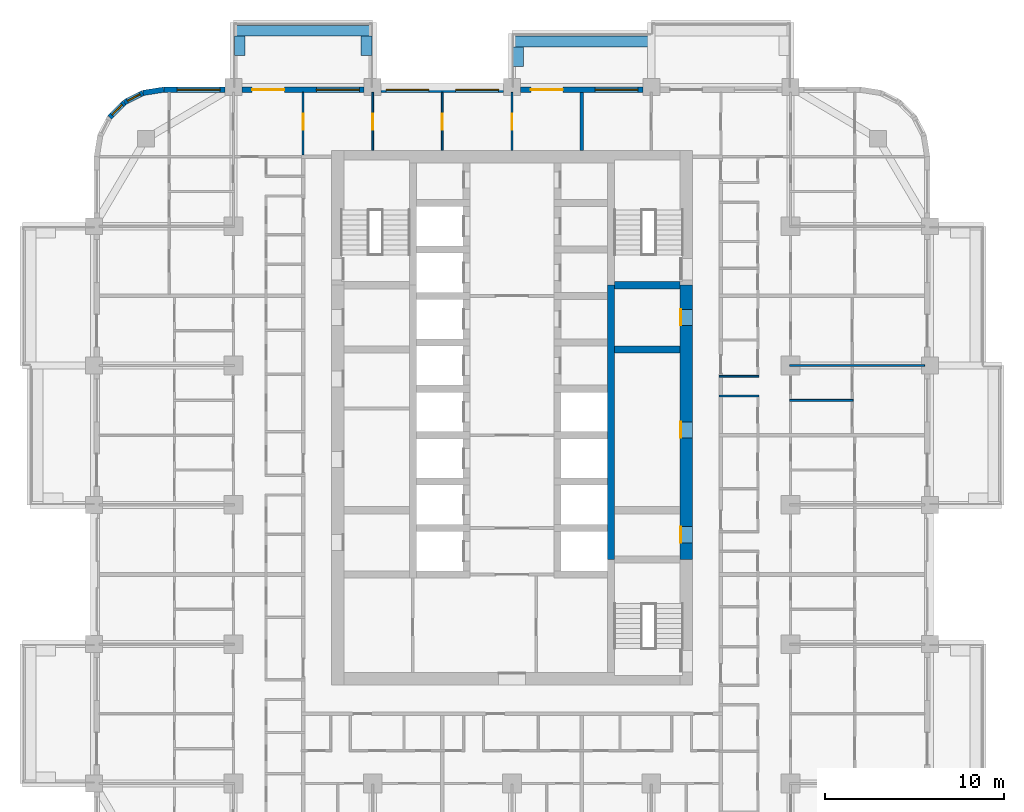
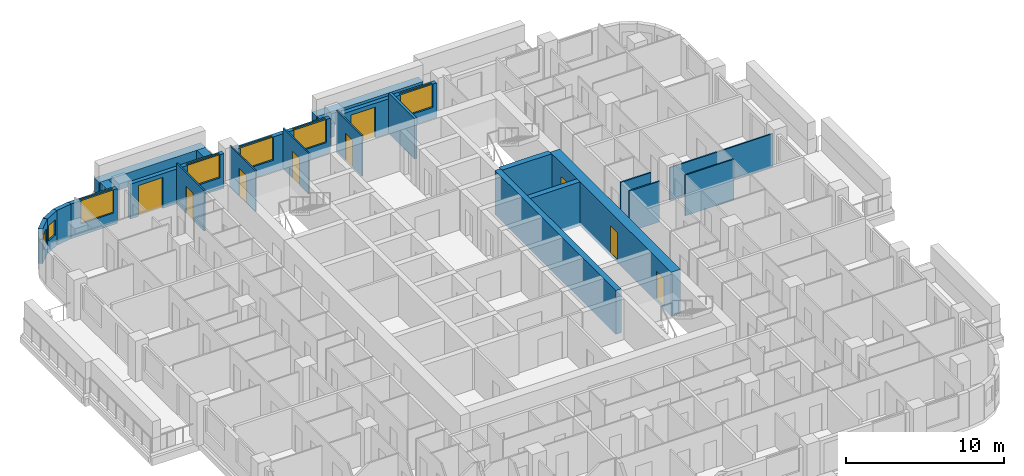
# One storey, part 12 of 18: 25 walls, 9 doors, 7 windows, 16 openings.
"""IFC4 building model written with IfcOpenShell, lengths in metres."""

from ifc_helpers import new_model, si_unit, direction, frame, frame_2d, origin, place, context, subcontext, project, spatial, rectangle, extrude, material, layer, layer_set, type_object, element, fill, save


model = new_model("IFC4")

# Units and contexts
model_context = context("Model", 3, precision=1e-05, world=origin(), true_north=direction((0.0, 1.0)))
body_context = subcontext(model_context, "Body", "Model", "MODEL_VIEW")
ifc_project = project(units=[si_unit("LENGTHUNIT", "METRE"), si_unit("AREAUNIT", "SQUARE_METRE"), si_unit("VOLUMEUNIT", "CUBIC_METRE"), si_unit("PLANEANGLEUNIT", "RADIAN"), si_unit("MASSUNIT", "GRAM", prefix="KILO")], contexts=[model_context])

# Site, building, storey
site_placement = place(None, origin())
site = spatial("IfcSite", under=ifc_project, at=site_placement, CompositionType="ELEMENT")
building_placement = place(site_placement, origin())
building = spatial("IfcBuilding", under=site, at=building_placement, Name="Ludao Terraces", CompositionType="ELEMENT")
storey_placement = place(building_placement, frame((0.0, 0.0, 75.0)))
storey = spatial("IfcBuildingStorey", under=building, at=storey_placement, Name="L20", CompositionType="ELEMENT", Elevation=75.0)

# Wall, openings, doors
ifc_material_1 = material(Name="Concrete C70", Category="concrete")
ifc_layer_1 = layer(ifc_material_1, 0.699951171875)
ifc_layer_set_1 = layer_set([ifc_layer_1], Name="Core wall 700 C70")
wall_type_1 = type_object("IfcWallType", Name="Core wall 700 C70", PredefinedType="SOLIDWALL", material=ifc_layer_set_1)
wall_1_placement = place(storey_placement, frame((94.75, 61.949951171875, -0.25), z_axis=(0.0, 0.0, 1.0), x_axis=(0.0, 1.0, 0.0)))
wall_1 = element("IfcWall", 1, at=wall_1_placement, inside=storey, type_object=wall_type_1, Name="Core wall L20 outer-E", PredefinedType="SOLIDWALL", context=body_context, shape_type="SweptSolid", body=[
    extrude(rectangle(XDim=15.35009765625, YDim=0.699951171875, at=frame_2d((7.675048828125, 0.0))), origin(), (0.0, 0.0, 1.0), 3.39990234375),
])
opening_1_placement = place(wall_1_placement, frame((0.925048828125, 0.0, 0.25)))
opening_1 = element("IfcOpeningElement", 2, at=opening_1_placement, cuts=wall_1, Name="Opening R06-081", PredefinedType="OPENING", context=body_context, shape_type="SweptSolid", body=[
    extrude(rectangle(XDim=0.89990234375, YDim=2.10009765625, at=frame_2d((0.449951171875, 1.050048828125))), frame((0.0, 0.35986328125, 0.0), z_axis=(0.0, -1.0, 0.0), x_axis=(1.0, 0.0, 0.0)), (0.0, 0.0, 1.0), 0.719970703125),
])
opening_2_placement = place(wall_1_placement, frame((6.800048828125, 0.0, 0.25)))
opening_2 = element("IfcOpeningElement", 3, at=opening_2_placement, cuts=wall_1, Name="Opening R06-099", PredefinedType="OPENING", context=body_context, shape_type="SweptSolid", body=[
    extrude(rectangle(XDim=0.89990234375, YDim=2.10009765625, at=frame_2d((0.449951171875, 1.050048828125))), frame((0.0, 0.35986328125, 0.0), z_axis=(0.0, -1.0, 0.0), x_axis=(1.0, 0.0, 0.0)), (0.0, 0.0, 1.0), 0.719970703125),
])
opening_3_placement = place(wall_1_placement, frame((13.10009765625, 0.0, 0.25)))
opening_3 = element("IfcOpeningElement", 4, at=opening_3_placement, cuts=wall_1, Name="Opening R06-122", PredefinedType="OPENING", context=body_context, shape_type="SweptSolid", body=[
    extrude(rectangle(XDim=0.89990234375, YDim=2.10009765625, at=frame_2d((0.449951171875, 1.050048828125))), frame((0.0, 0.35986328125, 0.0), z_axis=(0.0, -1.0, 0.0), x_axis=(1.0, 0.0, 0.0)), (0.0, 0.0, 1.0), 0.719970703125),
])
ifc_material_2 = material(Name="Steel Q235", Category="steel")
door_type_1 = type_object("IfcDoorType", Name="INT Riser door 900", OperationType="SINGLE_SWING_LEFT", PredefinedType="DOOR", material=ifc_material_2)
door_1_placement = place(opening_1_placement, origin())
door_1 = element("IfcDoor", 5, at=door_1_placement, inside=storey, type_object=door_type_1, Name="DOOR 081", OperationType="SINGLE_SWING_LEFT", OverallHeight=2.10009765625, OverallWidth=0.89990234375, PredefinedType="DOOR", context=body_context, shape_type="SweptSolid", body=[
    extrude(rectangle(XDim=0.89990234375, YDim=2.10009765625, at=frame_2d((0.449951171875, 1.050048828125))), frame((0.0, 0.3349609375, 0.0), z_axis=(0.0, -1.0, 0.0), x_axis=(1.0, 0.0, 0.0)), (0.0, 0.0, 1.0), 0.050048828125),
])
fill(opening_1, door_1)
door_2_placement = place(opening_3_placement, origin())
door_2 = element("IfcDoor", 6, at=door_2_placement, inside=storey, type_object=door_type_1, Name="DOOR 122", OperationType="SINGLE_SWING_LEFT", OverallHeight=2.10009765625, OverallWidth=0.89990234375, PredefinedType="DOOR", context=body_context, shape_type="SweptSolid", body=[
    extrude(rectangle(XDim=0.89990234375, YDim=2.10009765625, at=frame_2d((0.449951171875, 1.050048828125))), frame((0.0, 0.3349609375, 0.0), z_axis=(0.0, -1.0, 0.0), x_axis=(1.0, 0.0, 0.0)), (0.0, 0.0, 1.0), 0.050048828125),
])
fill(opening_3, door_2)
ifc_material_3 = material(Name="Timber door leaf", Category="wood")
door_type_2 = type_object("IfcDoorType", Name="INT Room door 900", OperationType="SINGLE_SWING_LEFT", PredefinedType="DOOR", material=ifc_material_3)
door_3_placement = place(opening_2_placement, origin())
door_3 = element("IfcDoor", 7, at=door_3_placement, inside=storey, type_object=door_type_2, Name="DOOR 099", OperationType="SINGLE_SWING_RIGHT", OverallHeight=2.10009765625, OverallWidth=0.89990234375, PredefinedType="DOOR", context=body_context, shape_type="SweptSolid", body=[
    extrude(rectangle(XDim=0.89990234375, YDim=2.10009765625, at=frame_2d((0.449951171875, 1.050048828125))), frame((0.0, 0.3349609375, 0.0), z_axis=(0.0, -1.0, 0.0), x_axis=(1.0, 0.0, 0.0)), (0.0, 0.0, 1.0), 0.050048828125),
])
fill(opening_2, door_3)

# Walls
ifc_material_4 = material(Name="Concrete C40", Category="concrete")
ifc_layer_2 = layer(ifc_material_4, 0.60009765625)
ifc_layer_set_2 = layer_set([ifc_layer_2], Name="ENV Planter trough 600")
wall_type_2 = type_object("IfcWallType", Name="ENV Planter trough 600", PredefinedType="USERDEFINED", material=ifc_layer_set_2)
wall_2_placement = place(storey_placement, frame((69.39990234375, 91.550048828125, 0.0), z_axis=(0.0, 0.0, 1.0), x_axis=(1.0, 0.0, 0.0)))
element("IfcWall", 8, at=wall_2_placement, inside=storey, type_object=wall_type_2, Name="PL-L20-N1", ObjectType="PLANTER", PredefinedType="USERDEFINED", context=body_context, shape_type="SweptSolid", body=[
    extrude(rectangle(XDim=7.800048828125, YDim=0.60009765625, at=frame_2d((3.89990234375, 0.0))), origin(), (0.0, 0.0, 1.0), 1.10009765625),
])
for number, where, z_axis, x_axis, name in (
    (9, (69.75, 91.25, 0.0), (0.0, 0.0, 1.0), (0.0, -1.0, 0.0), "PL-L20-N1-SA"),
    (10, (76.85009765625, 91.25, 0.0), (0.0, 0.0, 1.0), (0.0, -1.0, 0.0), "PL-L20-N1-SB"),
):
    element("IfcWall", number, at=place(storey_placement, frame(where, z_axis=z_axis, x_axis=x_axis)), inside=storey, type_object=wall_type_2, Name=name, ObjectType="PLANTER", PredefinedType="USERDEFINED", context=body_context, shape_type="SweptSolid", body=[
        extrude(rectangle(XDim=1.10009765625, YDim=0.60009765625, at=frame_2d((0.550048828125, 0.0))), origin(), (0.0, 0.0, 1.0), 1.10009765625),
    ])
wall_3_placement = place(storey_placement, frame((85.0, 90.949951171875, 0.0), z_axis=(0.0, 0.0, 1.0), x_axis=(1.0, 0.0, 0.0)))
element("IfcWall", 11, at=wall_3_placement, inside=storey, type_object=wall_type_2, Name="PL-L20-N3", ObjectType="PLANTER", PredefinedType="USERDEFINED", context=body_context, shape_type="SweptSolid", body=[
    extrude(rectangle(XDim=7.800048828125, YDim=0.60009765625, at=frame_2d((3.89990234375, 0.0))), origin(), (0.0, 0.0, 1.0), 1.10009765625),
])
wall_4_placement = place(storey_placement, frame((85.35009765625, 90.64990234375, 0.0), z_axis=(0.0, 0.0, 1.0), x_axis=(0.0, -1.0, 0.0)))
element("IfcWall", 12, at=wall_4_placement, inside=storey, type_object=wall_type_2, Name="PL-L20-N3-SA", ObjectType="PLANTER", PredefinedType="USERDEFINED", context=body_context, shape_type="SweptSolid", body=[
    extrude(rectangle(XDim=1.099853515625, YDim=0.60009765625, at=frame_2d((0.5498046875, 0.0))), origin(), (0.0, 0.0, 1.0), 1.10009765625),
])

# Wall, opening, window
ifc_material_5 = material(Name="Granite cladding", Category="masonry")
ifc_layer_3 = layer(ifc_material_5, 0.0400390625, Category="stone")
ifc_material_6 = material(Name="Mineral wool")
ifc_layer_4 = layer(ifc_material_6, 0.06005859375)
ifc_layer_5 = layer(ifc_material_4, 0.199951171875, Category="concrete")
ifc_layer_set_3 = layer_set([ifc_layer_3, ifc_layer_4, ifc_layer_5], Name="ENV Stone-clad wall 300")
wall_type_3 = type_object("IfcWallType", Name="ENV Stone-clad wall 300", PredefinedType="SOLIDWALL", material=ifc_layer_set_3)
wall_5_placement = place(storey_placement, frame((65.5, 88.25, 0.0), z_axis=(0.0, 0.0, 1.0), x_axis=(1.0, 0.0, 0.0)))
wall_5 = element("IfcWall", 13, at=wall_5_placement, inside=storey, type_object=wall_type_3, Name="EW-L20-N1", PredefinedType="SOLIDWALL", context=body_context, shape_type="SweptSolid", body=[
    extrude(rectangle(XDim=3.425048828125, YDim=0.300048828125, at=frame_2d((1.71240234375, 0.0))), origin(), (0.0, 0.0, 1.0), 2.699951171875),
])
opening_4_placement = place(wall_5_placement, frame((0.75, 0.0, 0.89990234375)))
opening_4 = element("IfcOpeningElement", 14, at=opening_4_placement, cuts=wall_5, Name="Opening W1", PredefinedType="OPENING", context=body_context, shape_type="SweptSolid", body=[
    extrude(rectangle(XDim=2.39990234375, YDim=1.800048828125, at=frame_2d((1.199951171875, 0.89990234375))), frame((0.0, 0.16015625, 0.0), z_axis=(0.0, -1.0, 0.0), x_axis=(1.0, 0.0, 0.0)), (0.0, 0.0, 1.0), 0.320068359375),
])
ifc_material_7 = material(Name="Clear glass in aluminium frame", Category="aluminium")
ifc_layer_6 = layer(ifc_material_7, 0.06005859375)
ifc_layer_set_4 = layer_set([ifc_layer_6], Name="ENV Window W1 2400x1800")
window_type_1 = type_object("IfcWindowType", Name="ENV Window W1 2400x1800", PartitioningType="DOUBLE_PANEL_VERTICAL", PredefinedType="WINDOW", material=ifc_layer_set_4)
window_1_placement = place(opening_4_placement, origin())
window_1 = element("IfcWindow", 15, at=window_1_placement, inside=storey, type_object=window_type_1, Name="W-L20-N1-1", OverallHeight=1.800048828125, OverallWidth=2.39990234375, PartitioningType="DOUBLE_PANEL_VERTICAL", PredefinedType="WINDOW", context=body_context, shape_type="SweptSolid", body=[
    extrude(rectangle(XDim=2.39990234375, YDim=1.800048828125, at=frame_2d((1.199951171875, 0.89990234375))), frame((0.0, 0.030029296875, 0.0), z_axis=(0.0, -1.0, 0.0), x_axis=(1.0, 0.0, 0.0)), (0.0, 0.0, 1.0), 0.06005859375),
])
fill(opening_4, window_1)

# Wall, openings, door, window
wall_6_placement = place(storey_placement, frame((69.875, 88.25, 0.0), z_axis=(0.0, 0.0, 1.0), x_axis=(1.0, 0.0, 0.0)))
wall_6 = element("IfcWall", 16, at=wall_6_placement, inside=storey, type_object=wall_type_3, Name="EW-L20-N2", PredefinedType="SOLIDWALL", context=body_context, shape_type="SweptSolid", body=[
    extrude(rectangle(XDim=6.85009765625, YDim=0.300048828125, at=frame_2d((3.425048828125, 0.0))), origin(), (0.0, 0.0, 1.0), 2.699951171875),
])
opening_5_placement = place(wall_6_placement, frame((0.574951171875, 0.0, 0.0)))
opening_5 = element("IfcOpeningElement", 17, at=opening_5_placement, cuts=wall_6, Name="Opening BD", PredefinedType="OPENING", context=body_context, shape_type="SweptSolid", body=[
    extrude(rectangle(XDim=1.800048828125, YDim=2.39990234375, at=frame_2d((0.89990234375, 1.199951171875))), frame((0.0, 0.16015625, 0.0), z_axis=(0.0, -1.0, 0.0), x_axis=(1.0, 0.0, 0.0)), (0.0, 0.0, 1.0), 0.320068359375),
])
opening_6_placement = place(wall_6_placement, frame((4.175048828125, 0.0, 0.89990234375)))
opening_6 = element("IfcOpeningElement", 18, at=opening_6_placement, cuts=wall_6, Name="Opening W1", PredefinedType="OPENING", context=body_context, shape_type="SweptSolid", body=[
    extrude(rectangle(XDim=2.39990234375, YDim=1.800048828125, at=frame_2d((1.199951171875, 0.89990234375))), frame((0.0, 0.16015625, 0.0), z_axis=(0.0, -1.0, 0.0), x_axis=(1.0, 0.0, 0.0)), (0.0, 0.0, 1.0), 0.320068359375),
])
ifc_material_8 = material(Name="Aluminium glazed door", Category="aluminium")
ifc_layer_7 = layer(ifc_material_8, 0.06005859375)
ifc_layer_set_5 = layer_set([ifc_layer_7], Name="ENV Balcony door BD 1800x2400")
door_type_3 = type_object("IfcDoorType", Name="ENV Balcony door BD 1800x2400", OperationType="DOUBLE_DOOR_SINGLE_SWING", PredefinedType="DOOR", material=ifc_layer_set_5)
door_4_placement = place(opening_5_placement, origin())
door_4 = element("IfcDoor", 19, at=door_4_placement, inside=storey, type_object=door_type_3, Name="BD-L20-N2-1", OperationType="DOUBLE_DOOR_SINGLE_SWING", OverallHeight=2.39990234375, OverallWidth=1.800048828125, PredefinedType="DOOR", context=body_context, shape_type="SweptSolid", body=[
    extrude(rectangle(XDim=1.800048828125, YDim=2.39990234375, at=frame_2d((0.89990234375, 1.199951171875))), frame((0.0, 0.02490234375, 0.0), z_axis=(0.0, -1.0, 0.0), x_axis=(1.0, 0.0, 0.0)), (0.0, 0.0, 1.0), 0.050048828125),
])
fill(opening_5, door_4)
window_2_placement = place(opening_6_placement, origin())
window_2 = element("IfcWindow", 20, at=window_2_placement, inside=storey, type_object=window_type_1, Name="W-L20-N2-2", OverallHeight=1.800048828125, OverallWidth=2.39990234375, PartitioningType="DOUBLE_PANEL_VERTICAL", PredefinedType="WINDOW", context=body_context, shape_type="SweptSolid", body=[
    extrude(rectangle(XDim=2.39990234375, YDim=1.800048828125, at=frame_2d((1.199951171875, 0.89990234375))), frame((0.0, 0.030029296875, 0.0), z_axis=(0.0, -1.0, 0.0), x_axis=(1.0, 0.0, 0.0)), (0.0, 0.0, 1.0), 0.06005859375),
])
fill(opening_6, window_2)

# Wall, openings, windows
wall_7_placement = place(storey_placement, frame((77.675048828125, 88.25, 0.0), z_axis=(0.0, 0.0, 1.0), x_axis=(1.0, 0.0, 0.0)))
wall_7 = element("IfcWall", 21, at=wall_7_placement, inside=storey, type_object=wall_type_3, Name="EW-L20-N3", PredefinedType="SOLIDWALL", context=body_context, shape_type="SweptSolid", body=[
    extrude(rectangle(XDim=6.849853515625, YDim=0.300048828125, at=frame_2d((3.4248046875, 0.0))), origin(), (0.0, 0.0, 1.0), 2.699951171875),
])
opening_7_placement = place(wall_7_placement, frame((0.27490234375, 0.0, 0.89990234375)))
opening_7 = element("IfcOpeningElement", 22, at=opening_7_placement, cuts=wall_7, Name="Opening W1", PredefinedType="OPENING", context=body_context, shape_type="SweptSolid", body=[
    extrude(rectangle(XDim=2.39990234375, YDim=1.800048828125, at=frame_2d((1.199951171875, 0.89990234375))), frame((0.0, 0.16015625, 0.0), z_axis=(0.0, -1.0, 0.0), x_axis=(1.0, 0.0, 0.0)), (0.0, 0.0, 1.0), 0.320068359375),
])
opening_8_placement = place(wall_7_placement, frame((4.175048828125, 0.0, 0.89990234375)))
opening_8 = element("IfcOpeningElement", 23, at=opening_8_placement, cuts=wall_7, Name="Opening W1", PredefinedType="OPENING", context=body_context, shape_type="SweptSolid", body=[
    extrude(rectangle(XDim=2.39990234375, YDim=1.800048828125, at=frame_2d((1.199951171875, 0.89990234375))), frame((0.0, 0.16015625, 0.0), z_axis=(0.0, -1.0, 0.0), x_axis=(1.0, 0.0, 0.0)), (0.0, 0.0, 1.0), 0.320068359375),
])
window_3_placement = place(opening_7_placement, origin())
window_3 = element("IfcWindow", 24, at=window_3_placement, inside=storey, type_object=window_type_1, Name="W-L20-N3-1", OverallHeight=1.800048828125, OverallWidth=2.39990234375, PartitioningType="DOUBLE_PANEL_VERTICAL", PredefinedType="WINDOW", context=body_context, shape_type="SweptSolid", body=[
    extrude(rectangle(XDim=2.39990234375, YDim=1.800048828125, at=frame_2d((1.199951171875, 0.89990234375))), frame((0.0, 0.030029296875, 0.0), z_axis=(0.0, -1.0, 0.0), x_axis=(1.0, 0.0, 0.0)), (0.0, 0.0, 1.0), 0.06005859375),
])
fill(opening_7, window_3)
window_4_placement = place(opening_8_placement, origin())
window_4 = element("IfcWindow", 25, at=window_4_placement, inside=storey, type_object=window_type_1, Name="W-L20-N3-2", OverallHeight=1.800048828125, OverallWidth=2.39990234375, PartitioningType="DOUBLE_PANEL_VERTICAL", PredefinedType="WINDOW", context=body_context, shape_type="SweptSolid", body=[
    extrude(rectangle(XDim=2.39990234375, YDim=1.800048828125, at=frame_2d((1.199951171875, 0.89990234375))), frame((0.0, 0.030029296875, 0.0), z_axis=(0.0, -1.0, 0.0), x_axis=(1.0, 0.0, 0.0)), (0.0, 0.0, 1.0), 0.06005859375),
])
fill(opening_8, window_4)

# Wall, openings, door, window
wall_8_placement = place(storey_placement, frame((85.47509765625, 88.25, 0.0), z_axis=(0.0, 0.0, 1.0), x_axis=(1.0, 0.0, 0.0)))
wall_8 = element("IfcWall", 26, at=wall_8_placement, inside=storey, type_object=wall_type_3, Name="EW-L20-N4", PredefinedType="SOLIDWALL", context=body_context, shape_type="SweptSolid", body=[
    extrude(rectangle(XDim=6.849853515625, YDim=0.300048828125, at=frame_2d((3.4248046875, 0.0))), origin(), (0.0, 0.0, 1.0), 2.699951171875),
])
opening_9_placement = place(wall_8_placement, frame((0.574951171875, 0.0, 0.0)))
opening_9 = element("IfcOpeningElement", 27, at=opening_9_placement, cuts=wall_8, Name="Opening BD", PredefinedType="OPENING", context=body_context, shape_type="SweptSolid", body=[
    extrude(rectangle(XDim=1.800048828125, YDim=2.39990234375, at=frame_2d((0.89990234375, 1.199951171875))), frame((0.0, 0.16015625, 0.0), z_axis=(0.0, -1.0, 0.0), x_axis=(1.0, 0.0, 0.0)), (0.0, 0.0, 1.0), 0.320068359375),
])
opening_10_placement = place(wall_8_placement, frame((4.175048828125, 0.0, 0.89990234375)))
opening_10 = element("IfcOpeningElement", 28, at=opening_10_placement, cuts=wall_8, Name="Opening W1", PredefinedType="OPENING", context=body_context, shape_type="SweptSolid", body=[
    extrude(rectangle(XDim=2.39990234375, YDim=1.800048828125, at=frame_2d((1.199951171875, 0.89990234375))), frame((0.0, 0.16015625, 0.0), z_axis=(0.0, -1.0, 0.0), x_axis=(1.0, 0.0, 0.0)), (0.0, 0.0, 1.0), 0.320068359375),
])
door_5_placement = place(opening_9_placement, origin())
door_5 = element("IfcDoor", 29, at=door_5_placement, inside=storey, type_object=door_type_3, Name="BD-L20-N4-1", OperationType="DOUBLE_DOOR_SINGLE_SWING", OverallHeight=2.39990234375, OverallWidth=1.800048828125, PredefinedType="DOOR", context=body_context, shape_type="SweptSolid", body=[
    extrude(rectangle(XDim=1.800048828125, YDim=2.39990234375, at=frame_2d((0.89990234375, 1.199951171875))), frame((0.0, 0.02490234375, 0.0), z_axis=(0.0, -1.0, 0.0), x_axis=(1.0, 0.0, 0.0)), (0.0, 0.0, 1.0), 0.050048828125),
])
fill(opening_9, door_5)
window_5_placement = place(opening_10_placement, origin())
window_5 = element("IfcWindow", 30, at=window_5_placement, inside=storey, type_object=window_type_1, Name="W-L20-N4-2", OverallHeight=1.800048828125, OverallWidth=2.39990234375, PartitioningType="DOUBLE_PANEL_VERTICAL", PredefinedType="WINDOW", context=body_context, shape_type="SweptSolid", body=[
    extrude(rectangle(XDim=2.39990234375, YDim=1.800048828125, at=frame_2d((1.199951171875, 0.89990234375))), frame((0.0, 0.030029296875, 0.0), z_axis=(0.0, -1.0, 0.0), x_axis=(1.0, 0.0, 0.0)), (0.0, 0.0, 1.0), 0.06005859375),
])
fill(opening_10, window_5)

# Wall
wall_9_placement = place(storey_placement, frame((65.5, 88.25, 0.0), z_axis=(0.0, 0.0, 1.0), x_axis=(-0.987678452879, -0.156496880861, 0.0)))
element("IfcWall", 31, at=wall_9_placement, inside=storey, type_object=wall_type_3, Name="EW-L20-NW1", PredefinedType="SOLIDWALL", context=body_context, shape_type="SweptSolid", body=[
    extrude(rectangle(XDim=1.173095703125, YDim=0.300048828125, at=frame_2d((0.58642578125, 0.0))), origin(), (0.0, 0.0, 1.0), 2.699951171875),
])

# Wall, opening, window
wall_10_placement = place(storey_placement, frame((64.34130859375, 88.06640625, 0.0), z_axis=(0.0, 0.0, 1.0), x_axis=(-0.890988677504, -0.454025524128, 0.0)))
wall_10 = element("IfcWall", 32, at=wall_10_placement, inside=storey, type_object=wall_type_3, Name="EW-L20-NW2", PredefinedType="SOLIDWALL", context=body_context, shape_type="SweptSolid", body=[
    extrude(rectangle(XDim=1.17333984375, YDim=0.300048828125, at=frame_2d((0.586669921875, 0.0))), origin(), (0.0, 0.0, 1.0), 2.699951171875),
])
opening_11_placement = place(wall_10_placement, frame((0.1865234375, 0.0, 0.89990234375)))
opening_11 = element("IfcOpeningElement", 33, at=opening_11_placement, cuts=wall_10, Name="Opening W3", PredefinedType="OPENING", context=body_context, shape_type="SweptSolid", body=[
    extrude(rectangle(XDim=0.800048828125, YDim=1.199951171875, at=frame_2d((0.39990234375, 0.60009765625))), frame((0.0, 0.16015625, 0.0), z_axis=(0.0, -1.0, 0.0), x_axis=(1.0, 0.0, 0.0)), (0.0, 0.0, 1.0), 0.320068359375),
])
ifc_layer_8 = layer(ifc_material_7, 0.06005859375)
ifc_layer_set_6 = layer_set([ifc_layer_8], Name="ENV Window W3 800x1200")
window_type_2 = type_object("IfcWindowType", Name="ENV Window W3 800x1200", PartitioningType="SINGLE_PANEL", PredefinedType="WINDOW", material=ifc_layer_set_6)
window_6_placement = place(opening_11_placement, origin())
window_6 = element("IfcWindow", 34, at=window_6_placement, inside=storey, type_object=window_type_2, Name="W-L20-NW2", OverallHeight=1.199951171875, OverallWidth=0.800048828125, PartitioningType="SINGLE_PANEL", PredefinedType="WINDOW", context=body_context, shape_type="SweptSolid", body=[
    extrude(rectangle(XDim=0.800048828125, YDim=1.199951171875, at=frame_2d((0.39990234375, 0.60009765625))), frame((0.0, 0.030029296875, 0.0), z_axis=(0.0, -1.0, 0.0), x_axis=(1.0, 0.0, 0.0)), (0.0, 0.0, 1.0), 0.06005859375),
])
fill(opening_11, window_6)

wall_11_placement = place(storey_placement, frame((63.2958984375, 87.53369140625, 0.0), z_axis=(0.0, 0.0, 1.0), x_axis=(-0.707106781187, -0.707106781187, 0.0)))
wall_11 = element("IfcWall", 35, at=wall_11_placement, inside=storey, type_object=wall_type_3, Name="EW-L20-NW3", PredefinedType="SOLIDWALL", context=body_context, shape_type="SweptSolid", body=[
    extrude(rectangle(XDim=1.173095703125, YDim=0.300048828125, at=frame_2d((0.58642578125, 0.0))), origin(), (0.0, 0.0, 1.0), 2.699951171875),
])
opening_12_placement = place(wall_11_placement, frame((0.1865234375, 0.0, 0.89990234375)))
opening_12 = element("IfcOpeningElement", 36, at=opening_12_placement, cuts=wall_11, Name="Opening W3", PredefinedType="OPENING", context=body_context, shape_type="SweptSolid", body=[
    extrude(rectangle(XDim=0.800048828125, YDim=1.199951171875, at=frame_2d((0.39990234375, 0.60009765625))), frame((0.0, 0.16015625, 0.0), z_axis=(0.0, -1.0, 0.0), x_axis=(1.0, 0.0, 0.0)), (0.0, 0.0, 1.0), 0.320068359375),
])
window_7_placement = place(opening_12_placement, origin())
window_7 = element("IfcWindow", 37, at=window_7_placement, inside=storey, type_object=window_type_2, Name="W-L20-NW3", OverallHeight=1.199951171875, OverallWidth=0.800048828125, PartitioningType="SINGLE_PANEL", PredefinedType="WINDOW", context=body_context, shape_type="SweptSolid", body=[
    extrude(rectangle(XDim=0.800048828125, YDim=1.199951171875, at=frame_2d((0.39990234375, 0.60009765625))), frame((0.0, 0.030029296875, 0.0), z_axis=(0.0, -1.0, 0.0), x_axis=(1.0, 0.0, 0.0)), (0.0, 0.0, 1.0), 0.06005859375),
])
fill(opening_12, window_7)

# Walls
ifc_material_9 = material(Name="Gypsum plasterboard", Category="gypsum")
ifc_layer_9 = layer(ifc_material_9, 0.012451171875, Category="gypsum")
ifc_layer_10 = layer(ifc_material_6, 0.06005859375, Name="insulation")
ifc_layer_11 = layer(ifc_material_2, 0.014892578125, Name="stud")
ifc_layer_12 = layer(ifc_material_9, 0.012451171875, Category="gypsum")
ifc_layer_set_7 = layer_set([ifc_layer_9, ifc_layer_10, ifc_layer_11, ifc_layer_12], Name="INT Partition 100")
wall_type_4 = type_object("IfcWallType", Name="INT Partition 100", PredefinedType="PARTITIONING", material=ifc_layer_set_7)
wall_12_placement = place(storey_placement, frame((100.550048828125, 70.85009765625, 0.0), z_axis=(0.0, 0.0, 1.0), x_axis=(1.0, 0.0, 0.0)))
element("IfcWall", 38, at=wall_12_placement, inside=storey, type_object=wall_type_4, Name="PW-L20-PW053", PredefinedType="PARTITIONING", context=body_context, shape_type="SweptSolid", body=[
    extrude(rectangle(XDim=3.550048828125, YDim=0.10009765625, at=frame_2d((1.77490234375, 0.0))), origin(), (0.0, 0.0, 1.0), 3.14990234375),
])
for number, where, z_axis, x_axis, name in (
    (39, (96.60009765625, 71.10009765625, 0.0), (0.0, 0.0, 1.0), (1.0, 0.0, 0.0), "PW-L20-PW054"),
    (40, (96.60009765625, 72.199951171875, 0.0), (0.0, 0.0, 1.0), (1.0, 0.0, 0.0), "PW-L20-PW055"),
):
    element("IfcWall", number, at=place(storey_placement, frame(where, z_axis=z_axis, x_axis=x_axis)), inside=storey, type_object=wall_type_4, Name=name, PredefinedType="PARTITIONING", context=body_context, shape_type="SweptSolid", body=[
        extrude(rectangle(XDim=2.219970703125, YDim=0.10009765625, at=frame_2d((1.10986328125, 0.0))), origin(), (0.0, 0.0, 1.0), 3.14990234375),
    ])
wall_13_placement = place(storey_placement, frame((100.550048828125, 72.800048828125, 0.0), z_axis=(0.0, 0.0, 1.0), x_axis=(1.0, 0.0, 0.0)))
element("IfcWall", 41, at=wall_13_placement, inside=storey, type_object=wall_type_4, Name="PW-L20-PW058", PredefinedType="PARTITIONING", context=body_context, shape_type="SweptSolid", body=[
    extrude(rectangle(XDim=7.550048828125, YDim=0.10009765625, at=frame_2d((3.77490234375, 0.0))), origin(), (0.0, 0.0, 1.0), 2.550048828125),
])

# Wall, opening, door
wall_14_placement = place(storey_placement, frame((73.300048828125, 84.60009765625, 0.0), z_axis=(0.0, 0.0, 1.0), x_axis=(0.0, 1.0, 0.0)))
wall_14 = element("IfcWall", 42, at=wall_14_placement, inside=storey, type_object=wall_type_4, Name="PW-L20-PW090", PredefinedType="PARTITIONING", context=body_context, shape_type="SweptSolid", body=[
    extrude(rectangle(XDim=3.5, YDim=0.10009765625, at=frame_2d((1.75, 0.0))), origin(), (0.0, 0.0, 1.0), 3.14990234375),
])
opening_13_placement = place(wall_14_placement, frame((1.39990234375, 0.0, 0.0)))
opening_13 = element("IfcOpeningElement", 43, at=opening_13_placement, cuts=wall_14, Name="Opening R06-159", PredefinedType="OPENING", context=body_context, shape_type="SweptSolid", body=[
    extrude(rectangle(XDim=0.89990234375, YDim=2.10009765625, at=frame_2d((0.449951171875, 1.050048828125))), frame((0.0, 0.06005859375, 0.0), z_axis=(0.0, -1.0, 0.0), x_axis=(1.0, 0.0, 0.0)), (0.0, 0.0, 1.0), 0.1201171875),
])
door_6_placement = place(opening_13_placement, origin())
door_6 = element("IfcDoor", 44, at=door_6_placement, inside=storey, type_object=door_type_2, Name="DOOR 159", OperationType="SINGLE_SWING_LEFT", OverallHeight=2.10009765625, OverallWidth=0.89990234375, PredefinedType="DOOR", context=body_context, shape_type="SweptSolid", body=[
    extrude(rectangle(XDim=0.89990234375, YDim=2.10009765625, at=frame_2d((0.449951171875, 1.050048828125))), frame((0.0, 0.02490234375, 0.0), z_axis=(0.0, -1.0, 0.0), x_axis=(1.0, 0.0, 0.0)), (0.0, 0.0, 1.0), 0.050048828125),
])
fill(opening_13, door_6)

wall_15_placement = place(storey_placement, frame((77.199951171875, 84.85009765625, 0.0), z_axis=(0.0, 0.0, 1.0), x_axis=(0.0, 1.0, 0.0)))
wall_15 = element("IfcWall", 45, at=wall_15_placement, inside=storey, type_object=wall_type_4, Name="PW-L20-PW095", PredefinedType="PARTITIONING", context=body_context, shape_type="SweptSolid", body=[
    extrude(rectangle(XDim=3.25, YDim=0.10009765625, at=frame_2d((1.625, 0.0))), origin(), (0.0, 0.0, 1.0), 3.14990234375),
])
opening_14_placement = place(wall_15_placement, frame((1.14990234375, 0.0, 0.0)))
opening_14 = element("IfcOpeningElement", 46, at=opening_14_placement, cuts=wall_15, Name="Opening R06-160", PredefinedType="OPENING", context=body_context, shape_type="SweptSolid", body=[
    extrude(rectangle(XDim=0.89990234375, YDim=2.10009765625, at=frame_2d((0.449951171875, 1.050048828125))), frame((0.0, 0.06005859375, 0.0), z_axis=(0.0, -1.0, 0.0), x_axis=(1.0, 0.0, 0.0)), (0.0, 0.0, 1.0), 0.1201171875),
])
door_7_placement = place(opening_14_placement, origin())
door_7 = element("IfcDoor", 47, at=door_7_placement, inside=storey, type_object=door_type_2, Name="DOOR 160", OperationType="SINGLE_SWING_RIGHT", OverallHeight=2.10009765625, OverallWidth=0.89990234375, PredefinedType="DOOR", context=body_context, shape_type="SweptSolid", body=[
    extrude(rectangle(XDim=0.89990234375, YDim=2.10009765625, at=frame_2d((0.449951171875, 1.050048828125))), frame((0.0, 0.02490234375, 0.0), z_axis=(0.0, -1.0, 0.0), x_axis=(1.0, 0.0, 0.0)), (0.0, 0.0, 1.0), 0.050048828125),
])
fill(opening_14, door_7)

wall_16_placement = place(storey_placement, frame((81.10009765625, 84.85009765625, 0.0), z_axis=(0.0, 0.0, 1.0), x_axis=(0.0, 1.0, 0.0)))
wall_16 = element("IfcWall", 48, at=wall_16_placement, inside=storey, type_object=wall_type_4, Name="PW-L20-PW099", PredefinedType="PARTITIONING", context=body_context, shape_type="SweptSolid", body=[
    extrude(rectangle(XDim=3.25, YDim=0.10009765625, at=frame_2d((1.625, 0.0))), origin(), (0.0, 0.0, 1.0), 3.14990234375),
])
opening_15_placement = place(wall_16_placement, frame((1.14990234375, 0.0, 0.0)))
opening_15 = element("IfcOpeningElement", 49, at=opening_15_placement, cuts=wall_16, Name="Opening R06-161", PredefinedType="OPENING", context=body_context, shape_type="SweptSolid", body=[
    extrude(rectangle(XDim=0.89990234375, YDim=2.10009765625, at=frame_2d((0.449951171875, 1.050048828125))), frame((0.0, 0.06005859375, 0.0), z_axis=(0.0, -1.0, 0.0), x_axis=(1.0, 0.0, 0.0)), (0.0, 0.0, 1.0), 0.1201171875),
])
door_8_placement = place(opening_15_placement, origin())
door_8 = element("IfcDoor", 50, at=door_8_placement, inside=storey, type_object=door_type_2, Name="DOOR 161", OperationType="SINGLE_SWING_RIGHT", OverallHeight=2.10009765625, OverallWidth=0.89990234375, PredefinedType="DOOR", context=body_context, shape_type="SweptSolid", body=[
    extrude(rectangle(XDim=0.89990234375, YDim=2.10009765625, at=frame_2d((0.449951171875, 1.050048828125))), frame((0.0, 0.02490234375, 0.0), z_axis=(0.0, -1.0, 0.0), x_axis=(1.0, 0.0, 0.0)), (0.0, 0.0, 1.0), 0.050048828125),
])
fill(opening_15, door_8)

wall_17_placement = place(storey_placement, frame((85.0, 84.85009765625, 0.0), z_axis=(0.0, 0.0, 1.0), x_axis=(0.0, 1.0, 0.0)))
wall_17 = element("IfcWall", 51, at=wall_17_placement, inside=storey, type_object=wall_type_4, Name="PW-L20-PW103", PredefinedType="PARTITIONING", context=body_context, shape_type="SweptSolid", body=[
    extrude(rectangle(XDim=3.25, YDim=0.10009765625, at=frame_2d((1.625, 0.0))), origin(), (0.0, 0.0, 1.0), 3.14990234375),
])
opening_16_placement = place(wall_17_placement, frame((1.14990234375, 0.0, 0.0)))
opening_16 = element("IfcOpeningElement", 52, at=opening_16_placement, cuts=wall_17, Name="Opening R06-162", PredefinedType="OPENING", context=body_context, shape_type="SweptSolid", body=[
    extrude(rectangle(XDim=0.89990234375, YDim=2.10009765625, at=frame_2d((0.449951171875, 1.050048828125))), frame((0.0, 0.06005859375, 0.0), z_axis=(0.0, -1.0, 0.0), x_axis=(1.0, 0.0, 0.0)), (0.0, 0.0, 1.0), 0.1201171875),
])
door_9_placement = place(opening_16_placement, origin())
door_9 = element("IfcDoor", 53, at=door_9_placement, inside=storey, type_object=door_type_2, Name="DOOR 162", OperationType="SINGLE_SWING_RIGHT", OverallHeight=2.10009765625, OverallWidth=0.89990234375, PredefinedType="DOOR", context=body_context, shape_type="SweptSolid", body=[
    extrude(rectangle(XDim=0.89990234375, YDim=2.10009765625, at=frame_2d((0.449951171875, 1.050048828125))), frame((0.0, 0.02490234375, 0.0), z_axis=(0.0, -1.0, 0.0), x_axis=(1.0, 0.0, 0.0)), (0.0, 0.0, 1.0), 0.050048828125),
])
fill(opening_16, door_9)

# Walls
ifc_material_10 = material(Name="Autoclaved aerated concrete block B06 A3.5", Category="concrete")
ifc_layer_13 = layer(ifc_material_10, 0.199951171875)
ifc_layer_set_8 = layer_set([ifc_layer_13], Name="INT Party wall 200")
wall_type_5 = type_object("IfcWallType", Name="INT Party wall 200", PredefinedType="PARTITIONING", material=ifc_layer_set_8)
wall_18_placement = place(storey_placement, frame((88.89990234375, 84.85009765625, 0.0), z_axis=(0.0, 0.0, 1.0), x_axis=(0.0, 1.0, 0.0)))
element("IfcWall", 54, at=wall_18_placement, inside=storey, type_object=wall_type_5, Name="PW-L20-PW108", PredefinedType="PARTITIONING", context=body_context, shape_type="SweptSolid", body=[
    extrude(rectangle(XDim=3.25, YDim=0.199951171875, at=frame_2d((1.625, 0.0))), origin(), (0.0, 0.0, 1.0), 3.14990234375),
])
ifc_material_11 = material(Name="Concrete C60", Category="concrete")
ifc_layer_14 = layer(ifc_material_11, 0.39990234375)
ifc_layer_set_9 = layer_set([ifc_layer_14], Name="Shaft wall 400 C60")
wall_type_6 = type_object("IfcWallType", Name="Shaft wall 400 C60", PredefinedType="SOLIDWALL", material=ifc_layer_set_9)
wall_19_placement = place(storey_placement, frame((90.550048828125, 61.949951171875, -0.25), z_axis=(0.0, 0.0, 1.0), x_axis=(0.0, 1.0, 0.0)))
element("IfcWall", 55, at=wall_19_placement, inside=storey, type_object=wall_type_6, Name="Core wall L20 back-E", PredefinedType="SOLIDWALL", context=body_context, shape_type="SweptSolid", body=[
    extrude(rectangle(XDim=15.35009765625, YDim=0.39990234375, at=frame_2d((7.675048828125, 0.0))), origin(), (0.0, 0.0, 1.0), 3.39990234375),
])
for number, where, z_axis, x_axis, name in (
    (56, (90.75, 73.699951171875, -0.25), (0.0, 0.0, 1.0), (1.0, 0.0, 0.0), "Core wall L20 riser-b-E"),
    (57, (90.75, 77.300048828125, -0.25), (0.0, 0.0, 1.0), (1.0, 0.0, 0.0), "Core wall L20 stair-E"),
):
    element("IfcWall", number, at=place(storey_placement, frame(where, z_axis=z_axis, x_axis=x_axis)), inside=storey, type_object=wall_type_6, Name=name, PredefinedType="SOLIDWALL", context=body_context, shape_type="SweptSolid", body=[
        extrude(rectangle(XDim=3.64990234375, YDim=0.39990234375, at=frame_2d((1.824951171875, 0.0))), origin(), (0.0, 0.0, 1.0), 3.39990234375),
    ])

save(model, "model.ifc")
